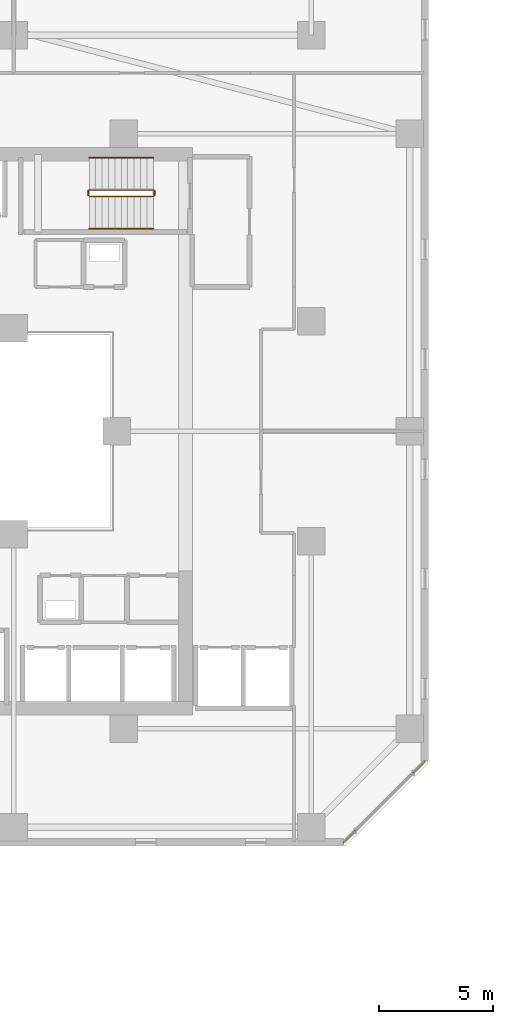
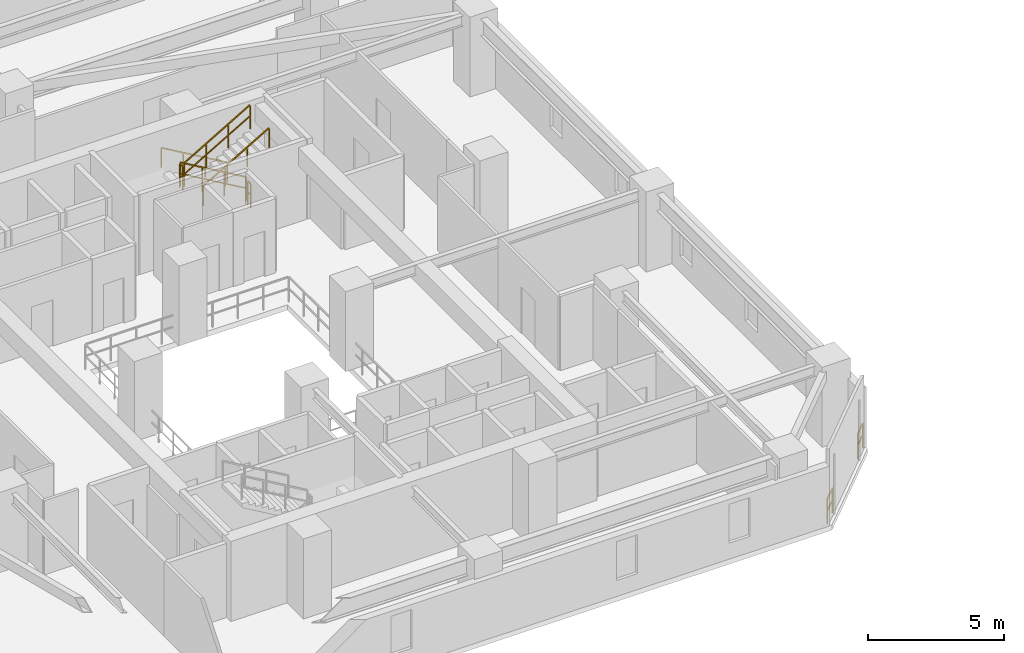
# One storey, part 31 of 33: 8 railings.
"""IFC4 building model written with IfcOpenShell, lengths in metres."""

from ifc_helpers import new_model, si_unit, direction, frame, origin, origin_2d, place, context, subcontext, project, spatial, rectangle, extrude, material, type_object, element, save


model = new_model("IFC4")

# Units and contexts
model_context = context("Model", 3, precision=1e-05, world=origin(), true_north=direction((0.0, 1.0)))
body_context = subcontext(model_context, "Body", "Model", "MODEL_VIEW")
ifc_project = project(units=[si_unit("LENGTHUNIT", "METRE"), si_unit("AREAUNIT", "SQUARE_METRE"), si_unit("VOLUMEUNIT", "CUBIC_METRE"), si_unit("PLANEANGLEUNIT", "RADIAN"), si_unit("MASSUNIT", "GRAM", prefix="KILO")], contexts=[model_context])

# Site, building, storey
site_placement = place(None, origin())
site = spatial("IfcSite", under=ifc_project, at=site_placement, CompositionType="ELEMENT")
building_placement = place(site_placement, origin())
building = spatial("IfcBuilding", under=site, at=building_placement, Name="Thornwick Lancets Civic Towers", CompositionType="ELEMENT")
storey_placement = place(building_placement, frame((0.0, 0.0, 105.300048828125)))
storey = spatial("IfcBuildingStorey", under=building, at=storey_placement, Name="L27", CompositionType="ELEMENT", Elevation=105.300048828125)

# Railings
ifc_material_1 = material(Name="Brushed stainless steel S355", Category="steel")
railing_type_1 = type_object("IfcRailingType", Name="RAIL_HANDRAIL", PredefinedType="HANDRAIL", material=ifc_material_1)
railing_1_placement = place(storey_placement, frame((31.60009765625, 38.949951171875, 0.16357421875)))
element("IfcRailing", 1, at=railing_1_placement, inside=storey, type_object=railing_type_1, Name="L27 ST-A2 stair handrail 1", PredefinedType="HANDRAIL", context=body_context, shape_type="SweptSolid", body=[
    extrude(rectangle(XDim=0.048095703125, YDim=0.048095703125, at=origin_2d()), frame((0.0, 0.0, 0.8857421875), z_axis=(-0.863360870873, 0.0, 0.504586966384), x_axis=(0.0, -1.0, 0.0)), (0.0, 0.0, 1.0), 3.2431640625),
    extrude(rectangle(XDim=0.0419921875, YDim=0.0419921875, at=origin_2d()), origin(), (0.0, 0.0, 1.0), 0.855712890625),
    extrude(rectangle(XDim=0.0419921875, YDim=0.0419921875, at=origin_2d()), frame((-0.933349609375, 0.0, 0.54541015625)), (0.0, 0.0, 1.0), 0.855712890625),
    extrude(rectangle(XDim=0.0419921875, YDim=0.0419921875, at=origin_2d()), frame((-1.86669921875, 0.0, 1.091064453125)), (0.0, 0.0, 1.0), 0.855712890625),
    extrude(rectangle(XDim=0.0419921875, YDim=0.0419921875, at=origin_2d()), frame((-2.800048828125, 0.0, 1.636474609375)), (0.0, 0.0, 1.0), 0.855712890625),
])
railing_2_placement = place(storey_placement, frame((28.800048828125, 35.85009765625, 1.963623046875)))
element("IfcRailing", 2, at=railing_2_placement, inside=storey, type_object=railing_type_1, Name="L27 ST-A2 stair handrail 2", PredefinedType="HANDRAIL", context=body_context, shape_type="SweptSolid", body=[
    extrude(rectangle(XDim=0.048095703125, YDim=0.048095703125, at=origin_2d()), frame((0.0, 0.0, 0.8857421875), z_axis=(0.863393664356, 0.0, 0.504530851732), x_axis=(0.0, 1.0, 0.0)), (0.0, 0.0, 1.0), 3.2431640625),
    extrude(rectangle(XDim=0.0419921875, YDim=0.0419921875, at=origin_2d()), origin(), (0.0, 0.0, 1.0), 0.855712890625),
    extrude(rectangle(XDim=0.0419921875, YDim=0.0419921875, at=origin_2d()), frame((0.933349609375, 0.0, 0.54541015625)), (0.0, 0.0, 1.0), 0.855712890625),
    extrude(rectangle(XDim=0.0419921875, YDim=0.0419921875, at=origin_2d()), frame((1.86669921875, 0.0, 1.0908203125)), (0.0, 0.0, 1.0), 0.855712890625),
    extrude(rectangle(XDim=0.0419921875, YDim=0.0419921875, at=origin_2d()), frame((2.800048828125, 0.0, 1.63623046875)), (0.0, 0.0, 1.0), 0.855712890625),
])
ifc_material_2 = material(Name="Steel S355JR", Category="steel")
railing_type_2 = type_object("IfcRailingType", Name="RAIL_STAIR_GUARD", PredefinedType="GUARDRAIL", material=ifc_material_2)
railing_3_placement = place(storey_placement, frame((31.60009765625, 37.550048828125, 0.16357421875)))
element("IfcRailing", 3, at=railing_3_placement, inside=storey, type_object=railing_type_2, Name="L27 ST-A2 stair guard 1", PredefinedType="GUARDRAIL", context=body_context, shape_type="SweptSolid", body=[
    extrude(rectangle(XDim=0.048095703125, YDim=0.048095703125, at=origin_2d()), frame((0.0, 0.0, 1.076171875), z_axis=(-0.863360870873, 0.0, 0.504586966384), x_axis=(0.0, -1.0, 0.0)), (0.0, 0.0, 1.0), 3.2431640625),
    extrude(rectangle(XDim=0.0419921875, YDim=0.0419921875, at=origin_2d()), frame((-0.032470703125, 0.0, 0.591064453125), z_axis=(-0.863360870873, 0.0, 0.504586966384), x_axis=(0.0, -1.0, 0.0)), (0.0, 0.0, 1.0), 1.006103515625),
    extrude(rectangle(XDim=0.0419921875, YDim=0.0419921875, at=origin_2d()), frame((-0.9658203125, 0.0, 1.136474609375), z_axis=(-0.863360870873, 0.0, 0.504586966384), x_axis=(0.0, -1.0, 0.0)), (0.0, 0.0, 1.0), 1.006103515625),
    extrude(rectangle(XDim=0.0419921875, YDim=0.0419921875, at=origin_2d()), frame((-1.899169921875, 0.0, 1.681884765625), z_axis=(-0.863360870873, 0.0, 0.504586966384), x_axis=(0.0, -1.0, 0.0)), (0.0, 0.0, 1.0), 1.006103515625),
    extrude(rectangle(XDim=0.0419921875, YDim=0.0419921875, at=origin_2d()), origin(), (0.0, 0.0, 1.0), 1.0458984375),
    extrude(rectangle(XDim=0.0419921875, YDim=0.0419921875, at=origin_2d()), frame((-0.933349609375, 0.0, 0.54541015625)), (0.0, 0.0, 1.0), 1.0458984375),
    extrude(rectangle(XDim=0.0419921875, YDim=0.0419921875, at=origin_2d()), frame((-1.86669921875, 0.0, 1.091064453125)), (0.0, 0.0, 1.0), 1.0458984375),
    extrude(rectangle(XDim=0.0419921875, YDim=0.0419921875, at=origin_2d()), frame((-2.800048828125, 0.0, 1.636474609375)), (0.0, 0.0, 1.0), 1.0458984375),
])
railing_4_placement = place(storey_placement, frame((28.75, 37.5, 1.800048828125)))
element("IfcRailing", 4, at=railing_4_placement, inside=storey, type_object=railing_type_2, Name="L27 ST-A2 stair guard 2", PredefinedType="GUARDRAIL", context=body_context, shape_type="SweptSolid", body=[
    extrude(rectangle(XDim=0.048095703125, YDim=0.048095703125, at=origin_2d()), frame((0.0, 0.0, 1.076171875), z_axis=(0.0, -1.0, 0.0), x_axis=(1.0, 0.0, 0.0)), (0.0, 0.0, 1.0), 0.199951171875),
    extrude(rectangle(XDim=0.0419921875, YDim=0.0419921875, at=origin_2d()), frame((0.0, -0.03759765625, 0.572021484375), z_axis=(0.0, -1.0, 0.0), x_axis=(1.0, 0.0, 0.0)), (0.0, 0.0, 1.0), 0.125),
    extrude(rectangle(XDim=0.0419921875, YDim=0.0419921875, at=origin_2d()), origin(), (0.0, 0.0, 1.0), 1.0458984375),
    extrude(rectangle(XDim=0.0419921875, YDim=0.0419921875, at=origin_2d()), frame((0.0, -0.199951171875, 0.0)), (0.0, 0.0, 1.0), 1.0458984375),
])
railing_5_placement = place(storey_placement, frame((28.800048828125, 37.25, 1.963623046875)))
element("IfcRailing", 5, at=railing_5_placement, inside=storey, type_object=railing_type_2, Name="L27 ST-A2 stair guard 3", PredefinedType="GUARDRAIL", context=body_context, shape_type="SweptSolid", body=[
    extrude(rectangle(XDim=0.048095703125, YDim=0.048095703125, at=origin_2d()), frame((0.0, 0.0, 1.076171875), z_axis=(0.863393664356, 0.0, 0.504530851732), x_axis=(0.0, 1.0, 0.0)), (0.0, 0.0, 1.0), 3.2431640625),
    extrude(rectangle(XDim=0.0419921875, YDim=0.0419921875, at=origin_2d()), frame((0.032470703125, 0.0, 0.591064453125), z_axis=(0.863393664356, 0.0, 0.504530851732), x_axis=(0.0, 1.0, 0.0)), (0.0, 0.0, 1.0), 1.006103515625),
    extrude(rectangle(XDim=0.0419921875, YDim=0.0419921875, at=origin_2d()), frame((0.9658203125, 0.0, 1.136474609375), z_axis=(0.863393664356, 0.0, 0.504530851732), x_axis=(0.0, 1.0, 0.0)), (0.0, 0.0, 1.0), 1.006103515625),
    extrude(rectangle(XDim=0.0419921875, YDim=0.0419921875, at=origin_2d()), frame((1.899169921875, 0.0, 1.681884765625), z_axis=(0.863393664356, 0.0, 0.504530851732), x_axis=(0.0, 1.0, 0.0)), (0.0, 0.0, 1.0), 1.006103515625),
    extrude(rectangle(XDim=0.0419921875, YDim=0.0419921875, at=origin_2d()), origin(), (0.0, 0.0, 1.0), 1.0458984375),
    extrude(rectangle(XDim=0.0419921875, YDim=0.0419921875, at=origin_2d()), frame((0.933349609375, 0.0, 0.54541015625)), (0.0, 0.0, 1.0), 1.0458984375),
    extrude(rectangle(XDim=0.0419921875, YDim=0.0419921875, at=origin_2d()), frame((1.86669921875, 0.0, 1.0908203125)), (0.0, 0.0, 1.0), 1.0458984375),
    extrude(rectangle(XDim=0.0419921875, YDim=0.0419921875, at=origin_2d()), frame((2.800048828125, 0.0, 1.63623046875)), (0.0, 0.0, 1.0), 1.0458984375),
])
railing_6_placement = place(storey_placement, frame((31.64990234375, 37.5, 0.0)))
element("IfcRailing", 6, at=railing_6_placement, inside=storey, type_object=railing_type_2, Name="L27 ST-A2 stair guard 4", PredefinedType="GUARDRAIL", context=body_context, shape_type="SweptSolid", body=[
    extrude(rectangle(XDim=0.048095703125, YDim=0.048095703125, at=origin_2d()), frame((0.0, 0.0, 1.076171875), z_axis=(0.0, -1.0, 0.0), x_axis=(1.0, 0.0, 0.0)), (0.0, 0.0, 1.0), 0.199951171875),
    extrude(rectangle(XDim=0.0419921875, YDim=0.0419921875, at=origin_2d()), frame((0.0, -0.03759765625, 0.572021484375), z_axis=(0.0, -1.0, 0.0), x_axis=(1.0, 0.0, 0.0)), (0.0, 0.0, 1.0), 0.125),
    extrude(rectangle(XDim=0.0419921875, YDim=0.0419921875, at=origin_2d()), origin(), (0.0, 0.0, 1.0), 1.0458984375),
    extrude(rectangle(XDim=0.0419921875, YDim=0.0419921875, at=origin_2d()), frame((0.0, -0.199951171875, 0.0)), (0.0, 0.0, 1.0), 1.0458984375),
])
ifc_material_3 = material(Name="Terracotta-capped laminated glass balustrade S355", Category="masonry")
railing_type_3 = type_object("IfcRailingType", Name="RAIL_TERR_GUARD", PredefinedType="GUARDRAIL", material=ifc_material_3)
for number, where, name in (
    (7, (39.903076171875, 9.03857421875, 0.0), "L27 Tower A Chamfer Spandrel Guard E1-1"),
    (8, (42.948486328125, 12.083984375, 0.0), "L27 Tower A Chamfer Spandrel Guard E1-2"),
):
    element("IfcRailing", number, at=place(storey_placement, frame(where)), inside=storey, type_object=railing_type_3, Name=name, PredefinedType="GUARDRAIL", context=body_context, shape_type="SweptSolid", body=[
        extrude(rectangle(XDim=0.048095703125, YDim=0.048095703125, at=origin_2d()), frame((0.0, 0.0, 1.1259765625), z_axis=(0.707106781187, 0.707106781187, 0.0), x_axis=(-0.707106781187, 0.707106781187, 0.0)), (0.0, 0.0, 1.0), 0.725341796875),
        extrude(rectangle(XDim=0.0419921875, YDim=0.0419921875, at=origin_2d()), frame((0.026611328125, 0.026611328125, 0.597900390625), z_axis=(0.707106781187, 0.707106781187, 0.0), x_axis=(-0.707106781187, 0.707106781187, 0.0)), (0.0, 0.0, 1.0), 0.650390625),
        extrude(rectangle(XDim=0.0419921875, YDim=0.0419921875, at=origin_2d()), origin(), (0.0, 0.0, 1.0), 1.095703125),
        extrude(rectangle(XDim=0.0419921875, YDim=0.0419921875, at=origin_2d()), frame((0.512939453125, 0.512939453125, 0.0)), (0.0, 0.0, 1.0), 1.095703125),
    ])

save(model, "model.ifc")
